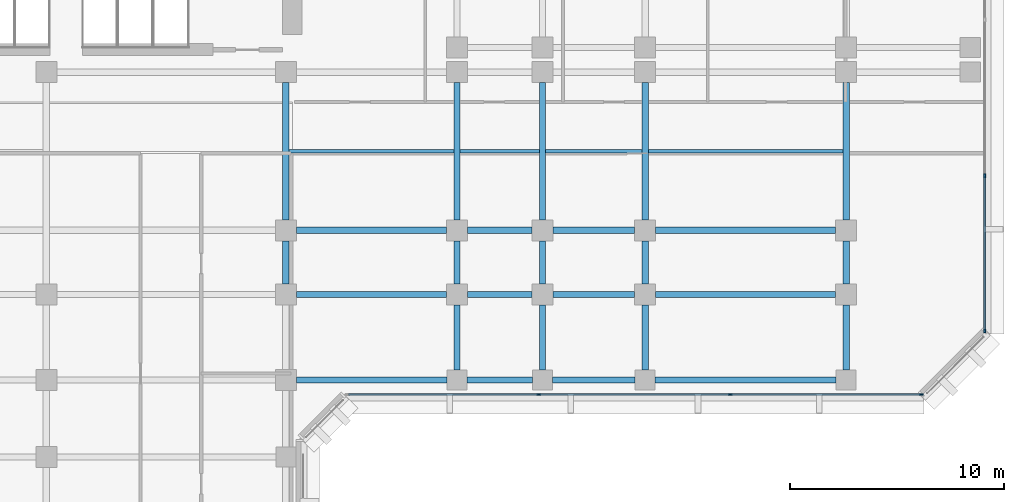
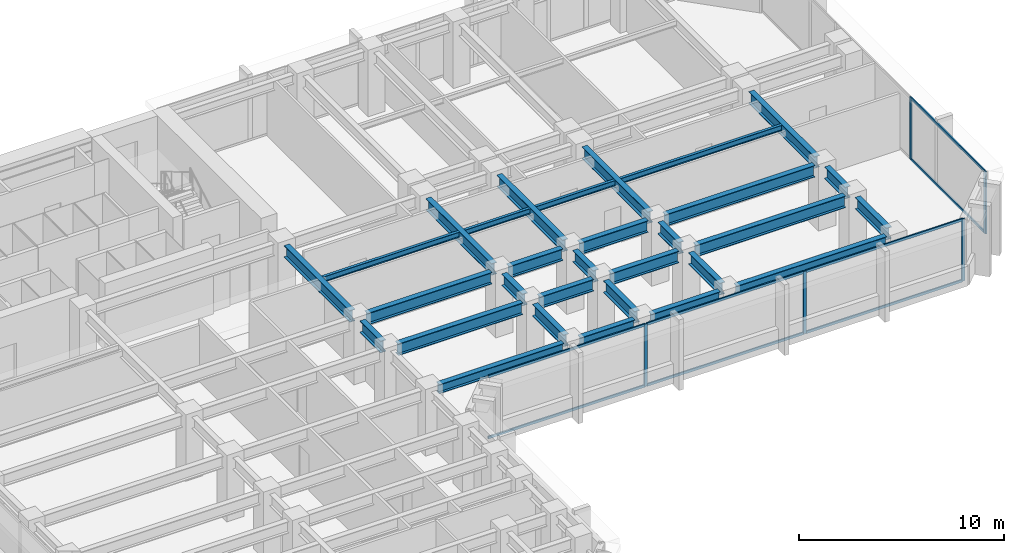
# One storey, part 3 of 13: 30 beams, 13 members, 2 elements without a shape of their own.
"""IFC4 building model written with IfcOpenShell, lengths in metres."""

from ifc_helpers import new_model, si_unit, direction, frame, origin, origin_2d, place, context, subcontext, project, spatial, rectangle, i_section, extrude, material, layer, layer_set, material_profile, profile_set, type_object, element, aggregate, save


model = new_model("IFC4")

# Units and contexts
model_context = context("Model", 3, precision=1e-05, world=origin(), true_north=direction((0.0, 1.0)))
body_context = subcontext(model_context, "Body", "Model", "MODEL_VIEW")
ifc_project = project(units=[si_unit("LENGTHUNIT", "METRE"), si_unit("AREAUNIT", "SQUARE_METRE"), si_unit("VOLUMEUNIT", "CUBIC_METRE"), si_unit("PLANEANGLEUNIT", "RADIAN"), si_unit("MASSUNIT", "GRAM", prefix="KILO")], contexts=[model_context])

# Site, building, storey
site_placement = place(None, origin())
site = spatial("IfcSite", under=ifc_project, at=site_placement, CompositionType="ELEMENT")
building_placement = place(site_placement, origin())
building = spatial("IfcBuilding", under=site, at=building_placement, Name="Kefirva Bronze Tower", CompositionType="ELEMENT")
storey_placement = place(building_placement, frame((0.0, 0.0, 69.9599609375)))
storey = spatial("IfcBuildingStorey", under=building, at=storey_placement, Name="L16", CompositionType="ELEMENT", Elevation=69.9599609375)

# Curtain wall, members
ifc_material_1 = material(Name="Bronze anodised aluminium", Category="aluminium")
ifc_layer = layer(ifc_material_1, 0.199951171875, Name="Bronze anodised aluminium")
ifc_layer_set = layer_set([ifc_layer], Name="Bronze anodised aluminium")
curtain_wall_type = type_object("IfcCurtainWallType", Name="Unitised Bronze Ribbon Curtain Wall Zone 1", PredefinedType="USERDEFINED", material=ifc_layer_set)
curtain_wall_1_placement = place(storey_placement, origin())
curtain_wall_1 = element("IfcCurtainWall", 1, at=curtain_wall_1_placement, inside=storey, type_object=curtain_wall_type, Name="L16 Curtain Wall 2", ObjectType="UNITISED CURTAIN WALL", PredefinedType="USERDEFINED")
ifc_material_profile_1 = material_profile(ifc_material_1, rectangle(XDim=0.074951171875, YDim=0.179931640625, at=origin_2d()), Name="ALU 75x180")
ifc_profile_set_1 = profile_set([ifc_material_profile_1], Name="Bronze anodised aluminium")
member_type_1 = type_object("IfcMemberType", Name="Bronze Mullion 75x180", PredefinedType="MULLION", material=ifc_profile_set_1)
member_1_placement = place(storey_placement, frame((35.018310546875, 18.1201171875, 0.0), z_axis=(0.0, 0.0, 1.0), x_axis=(0.0, 1.0, 0.0)))
member_1 = element("IfcMember", 2, at=member_1_placement, type_object=member_type_1, Name="CW-01 mullion 2", PredefinedType="MULLION", context=body_context, shape_type="SweptSolid", body=[
    extrude(rectangle(XDim=0.074951171875, YDim=0.179931640625, at=origin_2d()), origin(), (0.0, 0.0, 1.0), 3.7099609375),
])
member_2_placement = place(storey_placement, frame((43.981689453125, 18.1201171875, 0.0), z_axis=(0.0, 0.0, 1.0), x_axis=(0.0, 1.0, 0.0)))
member_2 = element("IfcMember", 3, at=member_2_placement, type_object=member_type_1, Name="CW-01 mullion 3", PredefinedType="MULLION", context=body_context, shape_type="SweptSolid", body=[
    extrude(rectangle(XDim=0.074951171875, YDim=0.179931640625, at=origin_2d()), origin(), (0.0, 0.0, 1.0), 3.7099609375),
])
member_3_placement = place(storey_placement, frame((52.907470703125, 18.1201171875, 0.0), z_axis=(0.0, 0.0, 1.0), x_axis=(0.0, 1.0, 0.0)))
member_3 = element("IfcMember", 4, at=member_3_placement, type_object=member_type_1, Name="CW-01 mullion 4", PredefinedType="MULLION", context=body_context, shape_type="SweptSolid", body=[
    extrude(rectangle(XDim=0.074951171875, YDim=0.179931640625, at=origin_2d()), origin(), (0.0, 0.0, 1.0), 3.7099609375),
])

curtain_wall_2_placement = place(storey_placement, origin())
curtain_wall_2 = element("IfcCurtainWall", 5, at=curtain_wall_2_placement, inside=storey, type_object=curtain_wall_type, Name="L16 Curtain Wall 3", ObjectType="UNITISED CURTAIN WALL", PredefinedType="USERDEFINED")
member_4_placement = place(storey_placement, frame((55.8798828125, 21.092529296875, 0.0), z_axis=(0.0, 0.0, 1.0), x_axis=(-1.0, 0.0, 0.0)))
member_4 = element("IfcMember", 6, at=member_4_placement, type_object=member_type_1, Name="CW-01 mullion 1", PredefinedType="MULLION", context=body_context, shape_type="SweptSolid", body=[
    extrude(rectangle(XDim=0.074951171875, YDim=0.179931640625, at=origin_2d()), origin(), (0.0, 0.0, 1.0), 3.7099609375),
])
member_5_placement = place(storey_placement, frame((55.8798828125, 28.3515625, 0.0), z_axis=(0.0, 0.0, 1.0), x_axis=(-1.0, 0.0, 0.0)))
member_5 = element("IfcMember", 7, at=member_5_placement, type_object=member_type_1, Name="CW-01 mullion 2", PredefinedType="MULLION", context=body_context, shape_type="SweptSolid", body=[
    extrude(rectangle(XDim=0.074951171875, YDim=0.179931640625, at=origin_2d()), origin(), (0.0, 0.0, 1.0), 3.7099609375),
])

# Member
ifc_material_profile_2 = material_profile(ifc_material_1, rectangle(XDim=0.074951171875, YDim=0.14990234375, at=origin_2d()), Name="ALU 75x150")
ifc_profile_set_2 = profile_set([ifc_material_profile_2], Name="Bronze anodised aluminium")
member_type_2 = type_object("IfcMemberType", Name="Bronze Transom 75x150", PredefinedType="USERDEFINED", material=ifc_profile_set_2)
member_6_placement = place(storey_placement, frame((26.1298828125, 18.1201171875, 0.03759765625), z_axis=(1.0, 0.0, 0.0), x_axis=(0.0, 1.0, 0.0)))
member_6 = element("IfcMember", 8, at=member_6_placement, type_object=member_type_2, Name="CW-01 transom 1.1", ObjectType="TRANSOM", PredefinedType="USERDEFINED", context=body_context, shape_type="SweptSolid", body=[
    extrude(rectangle(XDim=0.074951171875, YDim=0.14990234375, at=origin_2d()), origin(), (0.0, 0.0, 1.0), 8.850830078125),
])

member_7_placement = place(storey_placement, frame((26.1298828125, 18.1201171875, 3.672607421875), z_axis=(1.0, 0.0, 0.0), x_axis=(0.0, 1.0, 0.0)))
member_7 = element("IfcMember", 9, at=member_7_placement, type_object=member_type_2, Name="CW-01 transom 1.2", ObjectType="TRANSOM", PredefinedType="USERDEFINED", context=body_context, shape_type="SweptSolid", body=[
    extrude(rectangle(XDim=0.074951171875, YDim=0.14990234375, at=origin_2d()), origin(), (0.0, 0.0, 1.0), 8.850830078125),
])

member_8_placement = place(storey_placement, frame((35.055908203125, 18.1201171875, 0.03759765625), z_axis=(1.0, 0.0, 0.0), x_axis=(0.0, 1.0, 0.0)))
member_8 = element("IfcMember", 10, at=member_8_placement, type_object=member_type_2, Name="CW-01 transom 2.1", ObjectType="TRANSOM", PredefinedType="USERDEFINED", context=body_context, shape_type="SweptSolid", body=[
    extrude(rectangle(XDim=0.074951171875, YDim=0.14990234375, at=origin_2d()), origin(), (0.0, 0.0, 1.0), 8.88818359375),
])

member_9_placement = place(storey_placement, frame((35.055908203125, 18.1201171875, 3.672607421875), z_axis=(1.0, 0.0, 0.0), x_axis=(0.0, 1.0, 0.0)))
member_9 = element("IfcMember", 11, at=member_9_placement, type_object=member_type_2, Name="CW-01 transom 2.2", ObjectType="TRANSOM", PredefinedType="USERDEFINED", context=body_context, shape_type="SweptSolid", body=[
    extrude(rectangle(XDim=0.074951171875, YDim=0.14990234375, at=origin_2d()), origin(), (0.0, 0.0, 1.0), 8.88818359375),
])

member_10_placement = place(storey_placement, frame((44.019287109375, 18.1201171875, 0.03759765625), z_axis=(1.0, 0.0, 0.0), x_axis=(0.0, 1.0, 0.0)))
member_10 = element("IfcMember", 12, at=member_10_placement, type_object=member_type_2, Name="CW-01 transom 3.1", ObjectType="TRANSOM", PredefinedType="USERDEFINED", context=body_context, shape_type="SweptSolid", body=[
    extrude(rectangle(XDim=0.074951171875, YDim=0.14990234375, at=origin_2d()), origin(), (0.0, 0.0, 1.0), 8.850830078125),
])

member_11_placement = place(storey_placement, frame((44.019287109375, 18.1201171875, 3.672607421875), z_axis=(1.0, 0.0, 0.0), x_axis=(0.0, 1.0, 0.0)))
member_11 = element("IfcMember", 13, at=member_11_placement, type_object=member_type_2, Name="CW-01 transom 3.2", ObjectType="TRANSOM", PredefinedType="USERDEFINED", context=body_context, shape_type="SweptSolid", body=[
    extrude(rectangle(XDim=0.074951171875, YDim=0.14990234375, at=origin_2d()), origin(), (0.0, 0.0, 1.0), 8.850830078125),
])

aggregate(curtain_wall_1, [member_1, member_2, member_3, member_6, member_7, member_8, member_9, member_10, member_11])

member_12_placement = place(storey_placement, frame((55.8798828125, 21.1298828125, 0.03759765625), z_axis=(0.0, 1.0, 0.0), x_axis=(-1.0, 0.0, 0.0)))
member_12 = element("IfcMember", 14, at=member_12_placement, type_object=member_type_2, Name="CW-01 transom 1.1", ObjectType="TRANSOM", PredefinedType="USERDEFINED", context=body_context, shape_type="SweptSolid", body=[
    extrude(rectangle(XDim=0.074951171875, YDim=0.14990234375, at=origin_2d()), origin(), (0.0, 0.0, 1.0), 7.184326171875),
])

member_13_placement = place(storey_placement, frame((55.8798828125, 21.1298828125, 3.672607421875), z_axis=(0.0, 1.0, 0.0), x_axis=(-1.0, 0.0, 0.0)))
member_13 = element("IfcMember", 15, at=member_13_placement, type_object=member_type_2, Name="CW-01 transom 1.2", ObjectType="TRANSOM", PredefinedType="USERDEFINED", context=body_context, shape_type="SweptSolid", body=[
    extrude(rectangle(XDim=0.074951171875, YDim=0.14990234375, at=origin_2d()), origin(), (0.0, 0.0, 1.0), 7.184326171875),
])

aggregate(curtain_wall_2, [member_4, member_5, member_12, member_13])

# Beams
ifc_material_2 = material(Name="Steel S355", Category="steel")
ifc_material_profile_3 = material_profile(ifc_material_2, i_section(OverallWidth=0.159912109375, OverallDepth=0.330078125, WebThickness=0.007568359375, FlangeThickness=0.011474609375, at=origin_2d()), Name="IPE 330")
ifc_profile_set_3 = profile_set([ifc_material_profile_3], Name="Steel S355")
beam_type_1 = type_object("IfcBeamType", Name="Steel Floor Joist IPE 330", PredefinedType="JOIST", material=ifc_profile_set_3)
beam_1_placement = place(storey_placement, frame((23.35009765625, 29.5, 3.544921875), z_axis=(1.0, 0.0, 0.0), x_axis=(0.0, 1.0, 0.0)))
element("IfcBeam", 16, at=beam_1_placement, inside=storey, type_object=beam_type_1, Name="L16 JST-L16-23-295", PredefinedType="JOIST", context=body_context, shape_type="SweptSolid", body=[
    extrude(i_section(OverallWidth=0.159912109375, OverallDepth=0.330078125, WebThickness=0.007568359375, FlangeThickness=0.011474609375, at=origin_2d()), origin(), (0.0, 0.0, 1.0), 7.699951171875),
])
beam_2_placement = place(storey_placement, frame((31.35009765625, 29.5, 3.544921875), z_axis=(1.0, 0.0, 0.0), x_axis=(0.0, 1.0, 0.0)))
element("IfcBeam", 17, at=beam_2_placement, inside=storey, type_object=beam_type_1, Name="L16 JST-L16-31-295", PredefinedType="JOIST", context=body_context, shape_type="SweptSolid", body=[
    extrude(i_section(OverallWidth=0.159912109375, OverallDepth=0.330078125, WebThickness=0.007568359375, FlangeThickness=0.011474609375, at=origin_2d()), origin(), (0.0, 0.0, 1.0), 3.699951171875),
])
beam_3_placement = place(storey_placement, frame((35.35009765625, 29.5, 3.544921875), z_axis=(1.0, 0.0, 0.0), x_axis=(0.0, 1.0, 0.0)))
element("IfcBeam", 18, at=beam_3_placement, inside=storey, type_object=beam_type_1, Name="L16 JST-L16-35-295", PredefinedType="JOIST", context=body_context, shape_type="SweptSolid", body=[
    extrude(i_section(OverallWidth=0.159912109375, OverallDepth=0.330078125, WebThickness=0.007568359375, FlangeThickness=0.011474609375, at=origin_2d()), origin(), (0.0, 0.0, 1.0), 4.5),
])
beam_4_placement = place(storey_placement, frame((40.14990234375, 29.5, 3.544921875), z_axis=(1.0, 0.0, 0.0), x_axis=(0.0, 1.0, 0.0)))
element("IfcBeam", 19, at=beam_4_placement, inside=storey, type_object=beam_type_1, Name="L16 JST-L16-40-295", PredefinedType="JOIST", context=body_context, shape_type="SweptSolid", body=[
    extrude(i_section(OverallWidth=0.159912109375, OverallDepth=0.330078125, WebThickness=0.007568359375, FlangeThickness=0.011474609375, at=origin_2d()), origin(), (0.0, 0.0, 1.0), 9.10009765625),
])
ifc_material_profile_4 = material_profile(ifc_material_2, i_section(OverallWidth=0.300048828125, OverallDepth=0.699951171875, WebThickness=0.01708984375, FlangeThickness=0.031982421875, at=origin_2d()), Name="HEB 700")
ifc_profile_set_4 = profile_set([ifc_material_profile_4], Name="Steel S355")
beam_type_2 = type_object("IfcBeamType", Name="Steel Girder HEB 700", PredefinedType="USERDEFINED", material=ifc_profile_set_4)
beam_5_placement = place(storey_placement, frame((23.68994140625, 22.800048828125, 3.360107421875), z_axis=(1.0, 0.0, 0.0), x_axis=(0.0, 1.0, 0.0)))
element("IfcBeam", 20, at=beam_5_placement, inside=storey, type_object=beam_type_2, Name="L16 BM-L16-EW-23-228", ObjectType="GIRDER", PredefinedType="USERDEFINED", context=body_context, shape_type="SweptSolid", body=[
    extrude(i_section(OverallWidth=0.300048828125, OverallDepth=0.699951171875, WebThickness=0.01708984375, FlangeThickness=0.031982421875, at=origin_2d()), origin(), (0.0, 0.0, 1.0), 7.02001953125),
])
beam_6_placement = place(storey_placement, frame((31.68994140625, 22.800048828125, 3.360107421875), z_axis=(1.0, 0.0, 0.0), x_axis=(0.0, 1.0, 0.0)))
element("IfcBeam", 21, at=beam_6_placement, inside=storey, type_object=beam_type_2, Name="L16 BM-L16-EW-31-228", ObjectType="GIRDER", PredefinedType="USERDEFINED", context=body_context, shape_type="SweptSolid", body=[
    extrude(i_section(OverallWidth=0.300048828125, OverallDepth=0.699951171875, WebThickness=0.01708984375, FlangeThickness=0.031982421875, at=origin_2d()), origin(), (0.0, 0.0, 1.0), 3.02001953125),
])
beam_7_placement = place(storey_placement, frame((35.68994140625, 22.800048828125, 3.360107421875), z_axis=(1.0, 0.0, 0.0), x_axis=(0.0, 1.0, 0.0)))
element("IfcBeam", 22, at=beam_7_placement, inside=storey, type_object=beam_type_2, Name="L16 BM-L16-EW-35-228", ObjectType="GIRDER", PredefinedType="USERDEFINED", context=body_context, shape_type="SweptSolid", body=[
    extrude(i_section(OverallWidth=0.300048828125, OverallDepth=0.699951171875, WebThickness=0.01708984375, FlangeThickness=0.031982421875, at=origin_2d()), origin(), (0.0, 0.0, 1.0), 3.820068359375),
])
beam_8_placement = place(storey_placement, frame((40.489990234375, 22.800048828125, 3.360107421875), z_axis=(1.0, 0.0, 0.0), x_axis=(0.0, 1.0, 0.0)))
element("IfcBeam", 23, at=beam_8_placement, inside=storey, type_object=beam_type_2, Name="L16 BM-L16-EW-40-228", ObjectType="GIRDER", PredefinedType="USERDEFINED", context=body_context, shape_type="SweptSolid", body=[
    extrude(i_section(OverallWidth=0.300048828125, OverallDepth=0.699951171875, WebThickness=0.01708984375, FlangeThickness=0.031982421875, at=origin_2d()), origin(), (0.0, 0.0, 1.0), 8.419921875),
])
beam_9_placement = place(storey_placement, frame((23.68994140625, 25.800048828125, 3.360107421875), z_axis=(1.0, 0.0, 0.0), x_axis=(0.0, 1.0, 0.0)))
element("IfcBeam", 24, at=beam_9_placement, inside=storey, type_object=beam_type_2, Name="L16 BM-L16-EW-23-258", ObjectType="GIRDER", PredefinedType="USERDEFINED", context=body_context, shape_type="SweptSolid", body=[
    extrude(i_section(OverallWidth=0.300048828125, OverallDepth=0.699951171875, WebThickness=0.01708984375, FlangeThickness=0.031982421875, at=origin_2d()), origin(), (0.0, 0.0, 1.0), 7.02001953125),
])
beam_10_placement = place(storey_placement, frame((31.68994140625, 25.800048828125, 3.360107421875), z_axis=(1.0, 0.0, 0.0), x_axis=(0.0, 1.0, 0.0)))
element("IfcBeam", 25, at=beam_10_placement, inside=storey, type_object=beam_type_2, Name="L16 BM-L16-EW-31-258", ObjectType="GIRDER", PredefinedType="USERDEFINED", context=body_context, shape_type="SweptSolid", body=[
    extrude(i_section(OverallWidth=0.300048828125, OverallDepth=0.699951171875, WebThickness=0.01708984375, FlangeThickness=0.031982421875, at=origin_2d()), origin(), (0.0, 0.0, 1.0), 3.02001953125),
])
beam_11_placement = place(storey_placement, frame((35.68994140625, 25.800048828125, 3.360107421875), z_axis=(1.0, 0.0, 0.0), x_axis=(0.0, 1.0, 0.0)))
element("IfcBeam", 26, at=beam_11_placement, inside=storey, type_object=beam_type_2, Name="L16 BM-L16-EW-35-258", ObjectType="GIRDER", PredefinedType="USERDEFINED", context=body_context, shape_type="SweptSolid", body=[
    extrude(i_section(OverallWidth=0.300048828125, OverallDepth=0.699951171875, WebThickness=0.01708984375, FlangeThickness=0.031982421875, at=origin_2d()), origin(), (0.0, 0.0, 1.0), 3.820068359375),
])
beam_12_placement = place(storey_placement, frame((40.489990234375, 25.800048828125, 3.360107421875), z_axis=(1.0, 0.0, 0.0), x_axis=(0.0, 1.0, 0.0)))
element("IfcBeam", 27, at=beam_12_placement, inside=storey, type_object=beam_type_2, Name="L16 BM-L16-EW-40-258", ObjectType="GIRDER", PredefinedType="USERDEFINED", context=body_context, shape_type="SweptSolid", body=[
    extrude(i_section(OverallWidth=0.300048828125, OverallDepth=0.699951171875, WebThickness=0.01708984375, FlangeThickness=0.031982421875, at=origin_2d()), origin(), (0.0, 0.0, 1.0), 8.419921875),
])
beam_13_placement = place(storey_placement, frame((23.199951171875, 23.2900390625, 3.360107421875), z_axis=(0.0, 1.0, 0.0), x_axis=(-1.0, 0.0, 0.0)))
element("IfcBeam", 28, at=beam_13_placement, inside=storey, type_object=beam_type_2, Name="L16 BM-L16-NS-232-22", ObjectType="GIRDER", PredefinedType="USERDEFINED", context=body_context, shape_type="SweptSolid", body=[
    extrude(i_section(OverallWidth=0.300048828125, OverallDepth=0.699951171875, WebThickness=0.01708984375, FlangeThickness=0.031982421875, at=origin_2d()), origin(), (0.0, 0.0, 1.0), 2.02001953125),
])
beam_14_placement = place(storey_placement, frame((23.199951171875, 26.2900390625, 3.360107421875), z_axis=(0.0, 1.0, 0.0), x_axis=(-1.0, 0.0, 0.0)))
element("IfcBeam", 29, at=beam_14_placement, inside=storey, type_object=beam_type_2, Name="L16 BM-L16-NS-232-25", ObjectType="GIRDER", PredefinedType="USERDEFINED", context=body_context, shape_type="SweptSolid", body=[
    extrude(i_section(OverallWidth=0.300048828125, OverallDepth=0.699951171875, WebThickness=0.01708984375, FlangeThickness=0.031982421875, at=origin_2d()), origin(), (0.0, 0.0, 1.0), 6.419921875),
])
beam_15_placement = place(storey_placement, frame((31.199951171875, 19.27001953125, 3.360107421875), z_axis=(0.0, 1.0, 0.0), x_axis=(-1.0, 0.0, 0.0)))
element("IfcBeam", 30, at=beam_15_placement, inside=storey, type_object=beam_type_2, Name="L16 BM-L16-NS-312-18", ObjectType="GIRDER", PredefinedType="USERDEFINED", context=body_context, shape_type="SweptSolid", body=[
    extrude(i_section(OverallWidth=0.300048828125, OverallDepth=0.699951171875, WebThickness=0.01708984375, FlangeThickness=0.031982421875, at=origin_2d()), origin(), (0.0, 0.0, 1.0), 3.0400390625),
])
beam_16_placement = place(storey_placement, frame((31.199951171875, 23.2900390625, 3.360107421875), z_axis=(0.0, 1.0, 0.0), x_axis=(-1.0, 0.0, 0.0)))
element("IfcBeam", 31, at=beam_16_placement, inside=storey, type_object=beam_type_2, Name="L16 BM-L16-NS-312-22", ObjectType="GIRDER", PredefinedType="USERDEFINED", context=body_context, shape_type="SweptSolid", body=[
    extrude(i_section(OverallWidth=0.300048828125, OverallDepth=0.699951171875, WebThickness=0.01708984375, FlangeThickness=0.031982421875, at=origin_2d()), origin(), (0.0, 0.0, 1.0), 2.02001953125),
])
beam_17_placement = place(storey_placement, frame((31.199951171875, 26.2900390625, 3.360107421875), z_axis=(0.0, 1.0, 0.0), x_axis=(-1.0, 0.0, 0.0)))
element("IfcBeam", 32, at=beam_17_placement, inside=storey, type_object=beam_type_2, Name="L16 BM-L16-NS-312-25", ObjectType="GIRDER", PredefinedType="USERDEFINED", context=body_context, shape_type="SweptSolid", body=[
    extrude(i_section(OverallWidth=0.300048828125, OverallDepth=0.699951171875, WebThickness=0.01708984375, FlangeThickness=0.031982421875, at=origin_2d()), origin(), (0.0, 0.0, 1.0), 6.419921875),
])
beam_18_placement = place(storey_placement, frame((35.199951171875, 19.27001953125, 3.360107421875), z_axis=(0.0, 1.0, 0.0), x_axis=(-1.0, 0.0, 0.0)))
element("IfcBeam", 33, at=beam_18_placement, inside=storey, type_object=beam_type_2, Name="L16 BM-L16-NS-352-18", ObjectType="GIRDER", PredefinedType="USERDEFINED", context=body_context, shape_type="SweptSolid", body=[
    extrude(i_section(OverallWidth=0.300048828125, OverallDepth=0.699951171875, WebThickness=0.01708984375, FlangeThickness=0.031982421875, at=origin_2d()), origin(), (0.0, 0.0, 1.0), 3.0400390625),
])
beam_19_placement = place(storey_placement, frame((35.199951171875, 23.2900390625, 3.360107421875), z_axis=(0.0, 1.0, 0.0), x_axis=(-1.0, 0.0, 0.0)))
element("IfcBeam", 34, at=beam_19_placement, inside=storey, type_object=beam_type_2, Name="L16 BM-L16-NS-352-22", ObjectType="GIRDER", PredefinedType="USERDEFINED", context=body_context, shape_type="SweptSolid", body=[
    extrude(i_section(OverallWidth=0.300048828125, OverallDepth=0.699951171875, WebThickness=0.01708984375, FlangeThickness=0.031982421875, at=origin_2d()), origin(), (0.0, 0.0, 1.0), 2.02001953125),
])
beam_20_placement = place(storey_placement, frame((35.199951171875, 26.2900390625, 3.360107421875), z_axis=(0.0, 1.0, 0.0), x_axis=(-1.0, 0.0, 0.0)))
element("IfcBeam", 35, at=beam_20_placement, inside=storey, type_object=beam_type_2, Name="L16 BM-L16-NS-352-25", ObjectType="GIRDER", PredefinedType="USERDEFINED", context=body_context, shape_type="SweptSolid", body=[
    extrude(i_section(OverallWidth=0.300048828125, OverallDepth=0.699951171875, WebThickness=0.01708984375, FlangeThickness=0.031982421875, at=origin_2d()), origin(), (0.0, 0.0, 1.0), 6.419921875),
])
beam_21_placement = place(storey_placement, frame((40.0, 19.27001953125, 3.360107421875), z_axis=(0.0, 1.0, 0.0), x_axis=(-1.0, 0.0, 0.0)))
element("IfcBeam", 36, at=beam_21_placement, inside=storey, type_object=beam_type_2, Name="L16 BM-L16-NS-400-18", ObjectType="GIRDER", PredefinedType="USERDEFINED", context=body_context, shape_type="SweptSolid", body=[
    extrude(i_section(OverallWidth=0.300048828125, OverallDepth=0.699951171875, WebThickness=0.01708984375, FlangeThickness=0.031982421875, at=origin_2d()), origin(), (0.0, 0.0, 1.0), 3.0400390625),
])
beam_22_placement = place(storey_placement, frame((40.0, 23.2900390625, 3.360107421875), z_axis=(0.0, 1.0, 0.0), x_axis=(-1.0, 0.0, 0.0)))
element("IfcBeam", 37, at=beam_22_placement, inside=storey, type_object=beam_type_2, Name="L16 BM-L16-NS-400-22", ObjectType="GIRDER", PredefinedType="USERDEFINED", context=body_context, shape_type="SweptSolid", body=[
    extrude(i_section(OverallWidth=0.300048828125, OverallDepth=0.699951171875, WebThickness=0.01708984375, FlangeThickness=0.031982421875, at=origin_2d()), origin(), (0.0, 0.0, 1.0), 2.02001953125),
])
beam_23_placement = place(storey_placement, frame((40.0, 26.2900390625, 3.360107421875), z_axis=(0.0, 1.0, 0.0), x_axis=(-1.0, 0.0, 0.0)))
element("IfcBeam", 38, at=beam_23_placement, inside=storey, type_object=beam_type_2, Name="L16 BM-L16-NS-400-25", ObjectType="GIRDER", PredefinedType="USERDEFINED", context=body_context, shape_type="SweptSolid", body=[
    extrude(i_section(OverallWidth=0.300048828125, OverallDepth=0.699951171875, WebThickness=0.01708984375, FlangeThickness=0.031982421875, at=origin_2d()), origin(), (0.0, 0.0, 1.0), 6.419921875),
])
beam_24_placement = place(storey_placement, frame((49.39990234375, 19.27001953125, 3.360107421875), z_axis=(0.0, 1.0, 0.0), x_axis=(-1.0, 0.0, 0.0)))
element("IfcBeam", 39, at=beam_24_placement, inside=storey, type_object=beam_type_2, Name="L16 BM-L16-NS-494-18", ObjectType="GIRDER", PredefinedType="USERDEFINED", context=body_context, shape_type="SweptSolid", body=[
    extrude(i_section(OverallWidth=0.300048828125, OverallDepth=0.699951171875, WebThickness=0.01708984375, FlangeThickness=0.031982421875, at=origin_2d()), origin(), (0.0, 0.0, 1.0), 3.0400390625),
])
beam_25_placement = place(storey_placement, frame((49.39990234375, 23.2900390625, 3.360107421875), z_axis=(0.0, 1.0, 0.0), x_axis=(-1.0, 0.0, 0.0)))
element("IfcBeam", 40, at=beam_25_placement, inside=storey, type_object=beam_type_2, Name="L16 BM-L16-NS-494-22", ObjectType="GIRDER", PredefinedType="USERDEFINED", context=body_context, shape_type="SweptSolid", body=[
    extrude(i_section(OverallWidth=0.300048828125, OverallDepth=0.699951171875, WebThickness=0.01708984375, FlangeThickness=0.031982421875, at=origin_2d()), origin(), (0.0, 0.0, 1.0), 2.02001953125),
])
beam_26_placement = place(storey_placement, frame((49.39990234375, 26.2900390625, 3.360107421875), z_axis=(0.0, 1.0, 0.0), x_axis=(-1.0, 0.0, 0.0)))
element("IfcBeam", 41, at=beam_26_placement, inside=storey, type_object=beam_type_2, Name="L16 BM-L16-NS-494-25", ObjectType="GIRDER", PredefinedType="USERDEFINED", context=body_context, shape_type="SweptSolid", body=[
    extrude(i_section(OverallWidth=0.300048828125, OverallDepth=0.699951171875, WebThickness=0.01708984375, FlangeThickness=0.031982421875, at=origin_2d()), origin(), (0.0, 0.0, 1.0), 6.419921875),
])
ifc_material_profile_5 = material_profile(ifc_material_2, i_section(OverallWidth=0.300048828125, OverallDepth=0.550048828125, WebThickness=0.014892578125, FlangeThickness=0.029052734375, at=origin_2d()), Name="HEB 550")
ifc_profile_set_5 = profile_set([ifc_material_profile_5], Name="Steel S355")
beam_type_3 = type_object("IfcBeamType", Name="Steel Spandrel HEB 550 Ext", PredefinedType="SPANDREL", material=ifc_profile_set_5)
beam_27_placement = place(storey_placement, frame((23.68994140625, 18.800048828125, 3.43505859375), z_axis=(1.0, 0.0, 0.0), x_axis=(0.0, 1.0, 0.0)))
element("IfcBeam", 42, at=beam_27_placement, inside=storey, type_object=beam_type_3, Name="L16 BM-L16-EW-23-188", PredefinedType="SPANDREL", context=body_context, shape_type="SweptSolid", body=[
    extrude(i_section(OverallWidth=0.300048828125, OverallDepth=0.550048828125, WebThickness=0.014892578125, FlangeThickness=0.029052734375, at=origin_2d()), origin(), (0.0, 0.0, 1.0), 7.0400390625),
])
beam_28_placement = place(storey_placement, frame((31.669921875, 18.800048828125, 3.43505859375), z_axis=(1.0, 0.0, 0.0), x_axis=(0.0, 1.0, 0.0)))
element("IfcBeam", 43, at=beam_28_placement, inside=storey, type_object=beam_type_3, Name="L16 BM-L16-EW-31-188", PredefinedType="SPANDREL", context=body_context, shape_type="SweptSolid", body=[
    extrude(i_section(OverallWidth=0.300048828125, OverallDepth=0.550048828125, WebThickness=0.014892578125, FlangeThickness=0.029052734375, at=origin_2d()), origin(), (0.0, 0.0, 1.0), 3.06005859375),
])
beam_29_placement = place(storey_placement, frame((35.669921875, 18.800048828125, 3.43505859375), z_axis=(1.0, 0.0, 0.0), x_axis=(0.0, 1.0, 0.0)))
element("IfcBeam", 44, at=beam_29_placement, inside=storey, type_object=beam_type_3, Name="L16 BM-L16-EW-35-188", PredefinedType="SPANDREL", context=body_context, shape_type="SweptSolid", body=[
    extrude(i_section(OverallWidth=0.300048828125, OverallDepth=0.550048828125, WebThickness=0.014892578125, FlangeThickness=0.029052734375, at=origin_2d()), origin(), (0.0, 0.0, 1.0), 3.860107421875),
])
beam_30_placement = place(storey_placement, frame((40.469970703125, 18.800048828125, 3.43505859375), z_axis=(1.0, 0.0, 0.0), x_axis=(0.0, 1.0, 0.0)))
element("IfcBeam", 45, at=beam_30_placement, inside=storey, type_object=beam_type_3, Name="L16 BM-L16-EW-40-188", PredefinedType="SPANDREL", context=body_context, shape_type="SweptSolid", body=[
    extrude(i_section(OverallWidth=0.300048828125, OverallDepth=0.550048828125, WebThickness=0.014892578125, FlangeThickness=0.029052734375, at=origin_2d()), origin(), (0.0, 0.0, 1.0), 8.4599609375),
])

save(model, "model.ifc")
